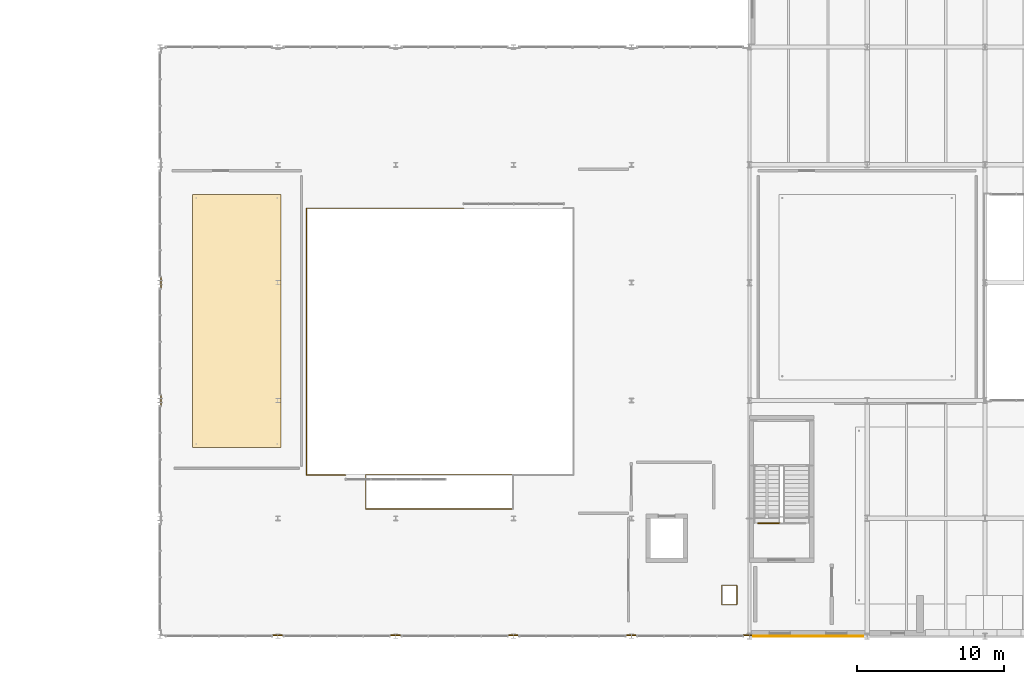
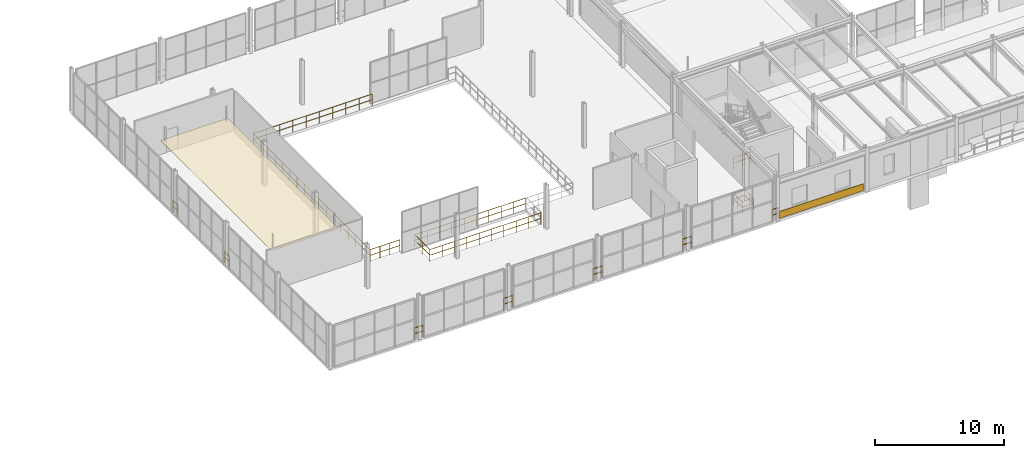
# One storey, part 59 of 67: 11 railings, 2 coverings.
"""IFC4 building model written with IfcOpenShell, lengths in metres."""

from ifc_helpers import new_model, si_unit, direction, frame, origin, origin_2d, place, context, subcontext, project, spatial, polyline, rectangle, circle, outline, extrude, material, layer, layer_set, type_object, element, save


model = new_model("IFC4")

# Units and contexts
model_context = context("Model", 3, precision=1e-05, world=origin(), true_north=direction((0.0, 1.0)))
body_context = subcontext(model_context, "Body", "Model", "MODEL_VIEW")
ifc_project = project(units=[si_unit("LENGTHUNIT", "METRE"), si_unit("AREAUNIT", "SQUARE_METRE"), si_unit("VOLUMEUNIT", "CUBIC_METRE"), si_unit("PLANEANGLEUNIT", "RADIAN"), si_unit("MASSUNIT", "GRAM", prefix="KILO")], contexts=[model_context])

# Site, building, storey
site_placement = place(None, origin())
site = spatial("IfcSite", under=ifc_project, at=site_placement, CompositionType="ELEMENT")
building_placement = place(site_placement, origin())
building = spatial("IfcBuilding", under=site, at=building_placement, Name="Sundkrona Museum", CompositionType="ELEMENT")
storey_placement = place(building_placement, frame((0.0, 0.0, 21.800048828125)))
storey = spatial("IfcBuildingStorey", under=building, at=storey_placement, Name="L04", CompositionType="ELEMENT", Elevation=21.800048828125)

# Coverings
ifc_material_1 = material(Name="Perforated Acoustic Gypsum and Mineral Wool Ceiling", Category="other")
ifc_layer_1 = layer(ifc_material_1, 0.0400390625)
ifc_layer_set_1 = layer_set([ifc_layer_1], Name="Perforated Acoustic Gypsum and Mineral Wool Ceiling")
covering_type_1 = type_object("IfcCoveringType", Name="COV-CEIL-AC", PredefinedType="CEILING", material=ifc_layer_set_1)
covering_1_placement = place(storey_placement, frame((0.0, 0.0, 2.550048828125)))
element("IfcCovering", 1, at=covering_1_placement, inside=storey, type_object=covering_type_1, Name="L04 Curatorial Administration Suite Acoustic Ceiling", PredefinedType="CEILING", context=body_context, shape_type="SweptSolid", body=[
    extrude(outline(polyline([(82.199951171875, 12.800048828125), (88.199951171875, 12.800048828125), (88.199951171875, 30.0), (82.199951171875, 30.0), (82.199951171875, 12.800048828125)])), origin(), (0.0, 0.0, 1.0), 0.039794921875),
])
ifc_material_2 = material(Name="Frost-Resistant Vitrified Stoneware Mosaic Cladding", Category="masonry")
ifc_layer_2 = layer(ifc_material_2, 0.044921875)
ifc_layer_set_2 = layer_set([ifc_layer_2], Name="Frost-Resistant Vitrified Stoneware Mosaic Cladding")
covering_type_2 = type_object("IfcCoveringType", Name="COV-CLD-MOS", PredefinedType="CLADDING", material=ifc_layer_set_2)
covering_2_placement = place(storey_placement, frame((124.0, 0.0, 0.094970703125), z_axis=(0.0, 0.0, 1.0), x_axis=(1.0, 0.0, 0.0)))
element("IfcCovering", 2, at=covering_2_placement, inside=storey, type_object=covering_type_2, Name="L04 Vitrified Stoneware Mosaic Spandrel 018", PredefinedType="CLADDING", context=body_context, shape_type="SweptSolid", body=[
    extrude(rectangle(XDim=7.49609375, YDim=0.044921875, at=origin_2d()), origin(), (0.0, 0.0, 1.0), 0.64990234375),
])

# Railings
ifc_material_3 = material(Name="Painted Steel S355J2 and Laminated Glass Balustrade", Category="steel")
railing_type = type_object("IfcRailingType", Name="RL-GUARD-1100", PredefinedType="BALUSTRADE", material=ifc_material_3)
railing_1_placement = place(storey_placement, frame((103.8798828125, 8.639892578125, 0.0)))
element("IfcRailing", 3, at=railing_1_placement, inside=storey, type_object=railing_type, Name="FS-4 Arrival Floor Well Balustrade", PredefinedType="BALUSTRADE", context=body_context, shape_type="SweptSolid", body=[
    extrude(circle(Radius=0.02392578125, at=origin_2d()), frame((0.0, 0.0, 1.09619140625), z_axis=(-1.0, 0.0, 0.0), x_axis=(0.0, -1.0, 0.0)), (0.0, 0.0, 1.0), 9.919921875),
    extrude(circle(Radius=0.02392578125, at=origin_2d()), frame((0.0, 0.0, 0.56005859375), z_axis=(-1.0, 0.0, 0.0), x_axis=(0.0, -1.0, 0.0)), (0.0, 0.0, 1.0), 9.919921875),
    extrude(circle(Radius=0.02392578125, at=origin_2d()), frame((-9.919921875, 0.0, 1.09619140625), z_axis=(0.0, 1.0, 0.0), x_axis=(-1.0, 0.0, 0.0)), (0.0, 0.0, 1.0), 2.320068359375),
    extrude(circle(Radius=0.02392578125, at=origin_2d()), frame((-9.919921875, 0.0, 0.56005859375), z_axis=(0.0, 1.0, 0.0), x_axis=(-1.0, 0.0, 0.0)), (0.0, 0.0, 1.0), 2.320068359375),
    extrude(circle(Radius=0.02392578125, at=origin_2d()), frame((-9.919921875, 2.320068359375, 1.09619140625), z_axis=(1.0, 0.0, 0.0), x_axis=(0.0, 1.0, 0.0)), (0.0, 0.0, 1.0), 9.919921875),
    extrude(circle(Radius=0.02392578125, at=origin_2d()), frame((-9.919921875, 2.320068359375, 0.56005859375), z_axis=(1.0, 0.0, 0.0), x_axis=(0.0, 1.0, 0.0)), (0.0, 0.0, 1.0), 9.919921875),
    extrude(circle(Radius=0.02099609375, at=origin_2d()), origin(), (0.0, 0.0, 1.0), 1.072021484375),
    extrude(circle(Radius=0.02099609375, at=origin_2d()), frame((-1.102294921875, 0.0, 0.0)), (0.0, 0.0, 1.0), 1.072021484375),
    extrude(circle(Radius=0.02099609375, at=origin_2d()), frame((-2.204345703125, 0.0, 0.0)), (0.0, 0.0, 1.0), 1.072021484375),
    extrude(circle(Radius=0.02099609375, at=origin_2d()), frame((-3.306640625, 0.0, 0.0)), (0.0, 0.0, 1.0), 1.072021484375),
    extrude(circle(Radius=0.02099609375, at=origin_2d()), frame((-4.408935546875, 0.0, 0.0)), (0.0, 0.0, 1.0), 1.072021484375),
    extrude(circle(Radius=0.02099609375, at=origin_2d()), frame((-5.510986328125, 0.0, 0.0)), (0.0, 0.0, 1.0), 1.072021484375),
    extrude(circle(Radius=0.02099609375, at=origin_2d()), frame((-6.61328125, 0.0, 0.0)), (0.0, 0.0, 1.0), 1.072021484375),
    extrude(circle(Radius=0.02099609375, at=origin_2d()), frame((-7.715576171875, 0.0, 0.0)), (0.0, 0.0, 1.0), 1.072021484375),
    extrude(circle(Radius=0.02099609375, at=origin_2d()), frame((-8.817626953125, 0.0, 0.0)), (0.0, 0.0, 1.0), 1.072021484375),
    extrude(circle(Radius=0.02099609375, at=origin_2d()), frame((-9.919921875, 0.0, 0.0)), (0.0, 0.0, 1.0), 1.072021484375),
    extrude(circle(Radius=0.02099609375, at=origin_2d()), frame((-9.919921875, 1.16015625, 0.0)), (0.0, 0.0, 1.0), 1.072021484375),
    extrude(circle(Radius=0.02099609375, at=origin_2d()), frame((-9.919921875, 2.320068359375, 0.0)), (0.0, 0.0, 1.0), 1.072021484375),
    extrude(circle(Radius=0.02099609375, at=origin_2d()), frame((-8.817626953125, 2.320068359375, 0.0)), (0.0, 0.0, 1.0), 1.072021484375),
    extrude(circle(Radius=0.02099609375, at=origin_2d()), frame((-7.715576171875, 2.320068359375, 0.0)), (0.0, 0.0, 1.0), 1.072021484375),
    extrude(circle(Radius=0.02099609375, at=origin_2d()), frame((-6.61328125, 2.320068359375, 0.0)), (0.0, 0.0, 1.0), 1.072021484375),
    extrude(circle(Radius=0.02099609375, at=origin_2d()), frame((-5.510986328125, 2.320068359375, 0.0)), (0.0, 0.0, 1.0), 1.072021484375),
    extrude(circle(Radius=0.02099609375, at=origin_2d()), frame((-4.408935546875, 2.320068359375, 0.0)), (0.0, 0.0, 1.0), 1.072021484375),
    extrude(circle(Radius=0.02099609375, at=origin_2d()), frame((-3.306640625, 2.320068359375, 0.0)), (0.0, 0.0, 1.0), 1.072021484375),
    extrude(circle(Radius=0.02099609375, at=origin_2d()), frame((-2.204345703125, 2.320068359375, 0.0)), (0.0, 0.0, 1.0), 1.072021484375),
    extrude(circle(Radius=0.02099609375, at=origin_2d()), frame((-1.102294921875, 2.320068359375, 0.0)), (0.0, 0.0, 1.0), 1.072021484375),
    extrude(circle(Radius=0.02099609375, at=origin_2d()), frame((0.0, 2.320068359375, 0.0)), (0.0, 0.0, 1.0), 1.072021484375),
])
for number, where, name in (
    (4, (80.06005859375, 15.60009765625, 0.0), "L04 Edge Protection Balustrade 007"),
    (5, (80.06005859375, 23.60009765625, 0.0), "L04 Edge Protection Balustrade 008"),
):
    element("IfcRailing", number, at=place(storey_placement, frame(where)), inside=storey, type_object=railing_type, Name=name, PredefinedType="BALUSTRADE", context=body_context, shape_type="SweptSolid", body=[
        extrude(circle(Radius=0.02392578125, at=origin_2d()), frame((0.0, 0.0, 1.09619140625), z_axis=(0.0, 1.0, 0.0), x_axis=(-1.0, 0.0, 0.0)), (0.0, 0.0, 1.0), 0.7998046875),
        extrude(circle(Radius=0.02392578125, at=origin_2d()), frame((0.0, 0.0, 0.56005859375), z_axis=(0.0, 1.0, 0.0), x_axis=(-1.0, 0.0, 0.0)), (0.0, 0.0, 1.0), 0.7998046875),
        extrude(circle(Radius=0.02099609375, at=origin_2d()), origin(), (0.0, 0.0, 1.0), 1.072021484375),
        extrude(circle(Radius=0.02099609375, at=origin_2d()), frame((0.0, 0.7998046875, 0.0)), (0.0, 0.0, 1.0), 1.072021484375),
    ])
railing_2_placement = place(storey_placement, frame((88.39990234375, 0.06005859375, 0.0)))
element("IfcRailing", 6, at=railing_2_placement, inside=storey, type_object=railing_type, Name="L04 Edge Protection Balustrade 011", PredefinedType="BALUSTRADE", context=body_context, shape_type="SweptSolid", body=[
    extrude(circle(Radius=0.02392578125, at=origin_2d()), frame((0.0, 0.0, 1.09619140625), z_axis=(-1.0, 0.0, 0.0), x_axis=(0.0, -1.0, 0.0)), (0.0, 0.0, 1.0), 0.7998046875),
    extrude(circle(Radius=0.02392578125, at=origin_2d()), frame((0.0, 0.0, 0.56005859375), z_axis=(-1.0, 0.0, 0.0), x_axis=(0.0, -1.0, 0.0)), (0.0, 0.0, 1.0), 0.7998046875),
    extrude(circle(Radius=0.02099609375, at=origin_2d()), origin(), (0.0, 0.0, 1.0), 1.072021484375),
    extrude(circle(Radius=0.02099609375, at=origin_2d()), frame((-0.7998046875, 0.0, 0.0)), (0.0, 0.0, 1.0), 1.072021484375),
])
railing_3_placement = place(storey_placement, frame((100.60009765625, 29.06005859375, 0.0)))
element("IfcRailing", 7, at=railing_3_placement, inside=storey, type_object=railing_type, Name="L04 Edge Protection Balustrade 013", PredefinedType="BALUSTRADE", context=body_context, shape_type="SweptSolid", body=[
    extrude(circle(Radius=0.02392578125, at=origin_2d()), frame((0.0, 0.0, 1.09619140625), z_axis=(-1.0, 0.0, 0.0), x_axis=(0.0, -1.0, 0.0)), (0.0, 0.0, 1.0), 10.66015625),
    extrude(circle(Radius=0.02392578125, at=origin_2d()), frame((0.0, 0.0, 0.56005859375), z_axis=(-1.0, 0.0, 0.0), x_axis=(0.0, -1.0, 0.0)), (0.0, 0.0, 1.0), 10.66015625),
    extrude(circle(Radius=0.02392578125, at=origin_2d()), frame((-10.66015625, 0.0, 1.09619140625), z_axis=(0.0, -1.0, 0.0), x_axis=(1.0, 0.0, 0.0)), (0.0, 0.0, 1.0), 18.1201171875),
    extrude(circle(Radius=0.02392578125, at=origin_2d()), frame((-10.66015625, 0.0, 0.56005859375), z_axis=(0.0, -1.0, 0.0), x_axis=(1.0, 0.0, 0.0)), (0.0, 0.0, 1.0), 18.1201171875),
    extrude(circle(Radius=0.02392578125, at=origin_2d()), frame((-10.66015625, -18.1201171875, 1.09619140625), z_axis=(1.0, 0.0, 0.0), x_axis=(0.0, 1.0, 0.0)), (0.0, 0.0, 1.0), 2.66015625),
    extrude(circle(Radius=0.02392578125, at=origin_2d()), frame((-10.66015625, -18.1201171875, 0.56005859375), z_axis=(1.0, 0.0, 0.0), x_axis=(0.0, 1.0, 0.0)), (0.0, 0.0, 1.0), 2.66015625),
    extrude(circle(Radius=0.02099609375, at=origin_2d()), origin(), (0.0, 0.0, 1.0), 1.072021484375),
    extrude(circle(Radius=0.02099609375, at=origin_2d()), frame((-1.1845703125, 0.0, 0.0)), (0.0, 0.0, 1.0), 1.072021484375),
    extrude(circle(Radius=0.02099609375, at=origin_2d()), frame((-2.368896484375, 0.0, 0.0)), (0.0, 0.0, 1.0), 1.072021484375),
    extrude(circle(Radius=0.02099609375, at=origin_2d()), frame((-3.553466796875, 0.0, 0.0)), (0.0, 0.0, 1.0), 1.072021484375),
    extrude(circle(Radius=0.02099609375, at=origin_2d()), frame((-4.73779296875, 0.0, 0.0)), (0.0, 0.0, 1.0), 1.072021484375),
    extrude(circle(Radius=0.02099609375, at=origin_2d()), frame((-5.92236328125, 0.0, 0.0)), (0.0, 0.0, 1.0), 1.072021484375),
    extrude(circle(Radius=0.02099609375, at=origin_2d()), frame((-7.106689453125, 0.0, 0.0)), (0.0, 0.0, 1.0), 1.072021484375),
    extrude(circle(Radius=0.02099609375, at=origin_2d()), frame((-8.291259765625, 0.0, 0.0)), (0.0, 0.0, 1.0), 1.072021484375),
    extrude(circle(Radius=0.02099609375, at=origin_2d()), frame((-9.4755859375, 0.0, 0.0)), (0.0, 0.0, 1.0), 1.072021484375),
    extrude(circle(Radius=0.02099609375, at=origin_2d()), frame((-10.66015625, 0.0, 0.0)), (0.0, 0.0, 1.0), 1.072021484375),
    extrude(circle(Radius=0.02099609375, at=origin_2d()), frame((-10.66015625, -1.132568359375, 0.0)), (0.0, 0.0, 1.0), 1.072021484375),
    extrude(circle(Radius=0.02099609375, at=origin_2d()), frame((-10.66015625, -2.26513671875, 0.0)), (0.0, 0.0, 1.0), 1.072021484375),
    extrude(circle(Radius=0.02099609375, at=origin_2d()), frame((-10.66015625, -3.3974609375, 0.0)), (0.0, 0.0, 1.0), 1.072021484375),
    extrude(circle(Radius=0.02099609375, at=origin_2d()), frame((-10.66015625, -4.530029296875, 0.0)), (0.0, 0.0, 1.0), 1.072021484375),
    extrude(circle(Radius=0.02099609375, at=origin_2d()), frame((-10.66015625, -5.66259765625, 0.0)), (0.0, 0.0, 1.0), 1.072021484375),
    extrude(circle(Radius=0.02099609375, at=origin_2d()), frame((-10.66015625, -6.794921875, 0.0)), (0.0, 0.0, 1.0), 1.072021484375),
    extrude(circle(Radius=0.02099609375, at=origin_2d()), frame((-10.66015625, -7.927490234375, 0.0)), (0.0, 0.0, 1.0), 1.072021484375),
    extrude(circle(Radius=0.02099609375, at=origin_2d()), frame((-10.66015625, -9.06005859375, 0.0)), (0.0, 0.0, 1.0), 1.072021484375),
    extrude(circle(Radius=0.02099609375, at=origin_2d()), frame((-10.66015625, -10.192626953125, 0.0)), (0.0, 0.0, 1.0), 1.072021484375),
    extrude(circle(Radius=0.02099609375, at=origin_2d()), frame((-10.66015625, -11.3251953125, 0.0)), (0.0, 0.0, 1.0), 1.072021484375),
    extrude(circle(Radius=0.02099609375, at=origin_2d()), frame((-10.66015625, -12.45751953125, 0.0)), (0.0, 0.0, 1.0), 1.072021484375),
    extrude(circle(Radius=0.02099609375, at=origin_2d()), frame((-10.66015625, -13.590087890625, 0.0)), (0.0, 0.0, 1.0), 1.072021484375),
    extrude(circle(Radius=0.02099609375, at=origin_2d()), frame((-10.66015625, -14.72265625, 0.0)), (0.0, 0.0, 1.0), 1.072021484375),
    extrude(circle(Radius=0.02099609375, at=origin_2d()), frame((-10.66015625, -15.85498046875, 0.0)), (0.0, 0.0, 1.0), 1.072021484375),
    extrude(circle(Radius=0.02099609375, at=origin_2d()), frame((-10.66015625, -16.987548828125, 0.0)), (0.0, 0.0, 1.0), 1.072021484375),
    extrude(circle(Radius=0.02099609375, at=origin_2d()), frame((-10.66015625, -18.1201171875, 0.0)), (0.0, 0.0, 1.0), 1.072021484375),
    extrude(circle(Radius=0.02099609375, at=origin_2d()), frame((-9.7734375, -18.1201171875, 0.0)), (0.0, 0.0, 1.0), 1.072021484375),
    extrude(circle(Radius=0.02099609375, at=origin_2d()), frame((-8.88671875, -18.1201171875, 0.0)), (0.0, 0.0, 1.0), 1.072021484375),
    extrude(circle(Radius=0.02099609375, at=origin_2d()), frame((-8.0, -18.1201171875, 0.0)), (0.0, 0.0, 1.0), 1.072021484375),
])
for number, where, name in (
    (8, (96.39990234375, 0.06005859375, 0.0), "L04 Edge Protection Balustrade 014"),
    (9, (104.39990234375, 0.06005859375, 0.0), "L04 Edge Protection Balustrade 016"),
    (10, (112.39990234375, 0.06005859375, 0.0), "L04 Edge Protection Balustrade 019"),
):
    element("IfcRailing", number, at=place(storey_placement, frame(where)), inside=storey, type_object=railing_type, Name=name, PredefinedType="BALUSTRADE", context=body_context, shape_type="SweptSolid", body=[
        extrude(circle(Radius=0.02392578125, at=origin_2d()), frame((0.0, 0.0, 1.09619140625), z_axis=(-1.0, 0.0, 0.0), x_axis=(0.0, -1.0, 0.0)), (0.0, 0.0, 1.0), 0.7998046875),
        extrude(circle(Radius=0.02392578125, at=origin_2d()), frame((0.0, 0.0, 0.56005859375), z_axis=(-1.0, 0.0, 0.0), x_axis=(0.0, -1.0, 0.0)), (0.0, 0.0, 1.0), 0.7998046875),
        extrude(circle(Radius=0.02099609375, at=origin_2d()), origin(), (0.0, 0.0, 1.0), 1.072021484375),
        extrude(circle(Radius=0.02099609375, at=origin_2d()), frame((-0.7998046875, 0.0, 0.0)), (0.0, 0.0, 1.0), 1.072021484375),
    ])
railing_4_placement = place(storey_placement, frame((119.159912109375, 3.4599609375, 0.0)))
element("IfcRailing", 11, at=railing_4_placement, inside=storey, type_object=railing_type, Name="L04 Edge Protection Balustrade 021", PredefinedType="BALUSTRADE", context=body_context, shape_type="SweptSolid", body=[
    extrude(circle(Radius=0.02392578125, at=origin_2d()), frame((0.0, 0.0, 1.09619140625), z_axis=(-1.0, 0.0, 0.0), x_axis=(0.0, -1.0, 0.0)), (0.0, 0.0, 1.0), 1.02001953125),
    extrude(circle(Radius=0.02392578125, at=origin_2d()), frame((0.0, 0.0, 0.56005859375), z_axis=(-1.0, 0.0, 0.0), x_axis=(0.0, -1.0, 0.0)), (0.0, 0.0, 1.0), 1.02001953125),
    extrude(circle(Radius=0.02392578125, at=origin_2d()), frame((-1.02001953125, 0.0, 1.09619140625), z_axis=(0.0, -1.0, 0.0), x_axis=(1.0, 0.0, 0.0)), (0.0, 0.0, 1.0), 1.320068359375),
    extrude(circle(Radius=0.02392578125, at=origin_2d()), frame((-1.02001953125, 0.0, 0.56005859375), z_axis=(0.0, -1.0, 0.0), x_axis=(1.0, 0.0, 0.0)), (0.0, 0.0, 1.0), 1.320068359375),
    extrude(circle(Radius=0.02392578125, at=origin_2d()), frame((-1.02001953125, -1.320068359375, 1.09619140625), z_axis=(1.0, 0.0, 0.0), x_axis=(0.0, 1.0, 0.0)), (0.0, 0.0, 1.0), 1.02001953125),
    extrude(circle(Radius=0.02392578125, at=origin_2d()), frame((-1.02001953125, -1.320068359375, 0.56005859375), z_axis=(1.0, 0.0, 0.0), x_axis=(0.0, 1.0, 0.0)), (0.0, 0.0, 1.0), 1.02001953125),
    extrude(circle(Radius=0.02392578125, at=origin_2d()), frame((0.0, -1.320068359375, 1.09619140625), z_axis=(0.0, 1.0, 0.0), x_axis=(-1.0, 0.0, 0.0)), (0.0, 0.0, 1.0), 1.320068359375),
    extrude(circle(Radius=0.02392578125, at=origin_2d()), frame((0.0, -1.320068359375, 0.56005859375), z_axis=(0.0, 1.0, 0.0), x_axis=(-1.0, 0.0, 0.0)), (0.0, 0.0, 1.0), 1.320068359375),
    extrude(circle(Radius=0.02099609375, at=origin_2d()), origin(), (0.0, 0.0, 1.0), 1.072021484375),
    extrude(circle(Radius=0.02099609375, at=origin_2d()), frame((-1.02001953125, 0.0, 0.0)), (0.0, 0.0, 1.0), 1.072021484375),
    extrude(circle(Radius=0.02099609375, at=origin_2d()), frame((-1.02001953125, -0.66015625, 0.0)), (0.0, 0.0, 1.0), 1.072021484375),
    extrude(circle(Radius=0.02099609375, at=origin_2d()), frame((-1.02001953125, -1.320068359375, 0.0)), (0.0, 0.0, 1.0), 1.072021484375),
    extrude(circle(Radius=0.02099609375, at=origin_2d()), frame((0.0, -1.320068359375, 0.0)), (0.0, 0.0, 1.0), 1.072021484375),
    extrude(circle(Radius=0.02099609375, at=origin_2d()), frame((0.0, -0.66015625, 0.0)), (0.0, 0.0, 1.0), 1.072021484375),
])
railing_5_placement = place(storey_placement, frame((120.152099609375, 0.06005859375, 0.0)))
element("IfcRailing", 12, at=railing_5_placement, inside=storey, type_object=railing_type, Name="L04 Edge Protection Balustrade 022", PredefinedType="BALUSTRADE", context=body_context, shape_type="SweptSolid", body=[
    extrude(circle(Radius=0.02392578125, at=origin_2d()), frame((0.0, 0.0, 1.09619140625), z_axis=(-1.0, 0.0, 0.0), x_axis=(0.0, -1.0, 0.0)), (0.0, 0.0, 1.0), 0.552001953125),
    extrude(circle(Radius=0.02392578125, at=origin_2d()), frame((0.0, 0.0, 0.56005859375), z_axis=(-1.0, 0.0, 0.0), x_axis=(0.0, -1.0, 0.0)), (0.0, 0.0, 1.0), 0.552001953125),
    extrude(circle(Radius=0.02099609375, at=origin_2d()), origin(), (0.0, 0.0, 1.0), 1.072021484375),
    extrude(circle(Radius=0.02099609375, at=origin_2d()), frame((-0.552001953125, 0.0, 0.0)), (0.0, 0.0, 1.0), 1.072021484375),
])
railing_6_placement = place(storey_placement, frame((120.580078125, 7.6650390625, 0.0)))
element("IfcRailing", 13, at=railing_6_placement, inside=storey, type_object=railing_type, Name="L04 Edge Protection Balustrade 024", PredefinedType="BALUSTRADE", context=body_context, shape_type="SweptSolid", body=[
    extrude(circle(Radius=0.02392578125, at=origin_2d()), frame((0.0, 0.0, 1.09619140625), z_axis=(1.0, 0.0, 0.0), x_axis=(0.0, 1.0, 0.0)), (0.0, 0.0, 1.0), 1.52001953125),
    extrude(circle(Radius=0.02392578125, at=origin_2d()), frame((0.0, 0.0, 0.56005859375), z_axis=(1.0, 0.0, 0.0), x_axis=(0.0, 1.0, 0.0)), (0.0, 0.0, 1.0), 1.52001953125),
    extrude(circle(Radius=0.02099609375, at=origin_2d()), origin(), (0.0, 0.0, 1.0), 1.072021484375),
    extrude(circle(Radius=0.02099609375, at=origin_2d()), frame((0.760009765625, 0.0, 0.0)), (0.0, 0.0, 1.0), 1.072021484375),
    extrude(circle(Radius=0.02099609375, at=origin_2d()), frame((1.52001953125, 0.0, 0.0)), (0.0, 0.0, 1.0), 1.072021484375),
])

save(model, "model.ifc")
